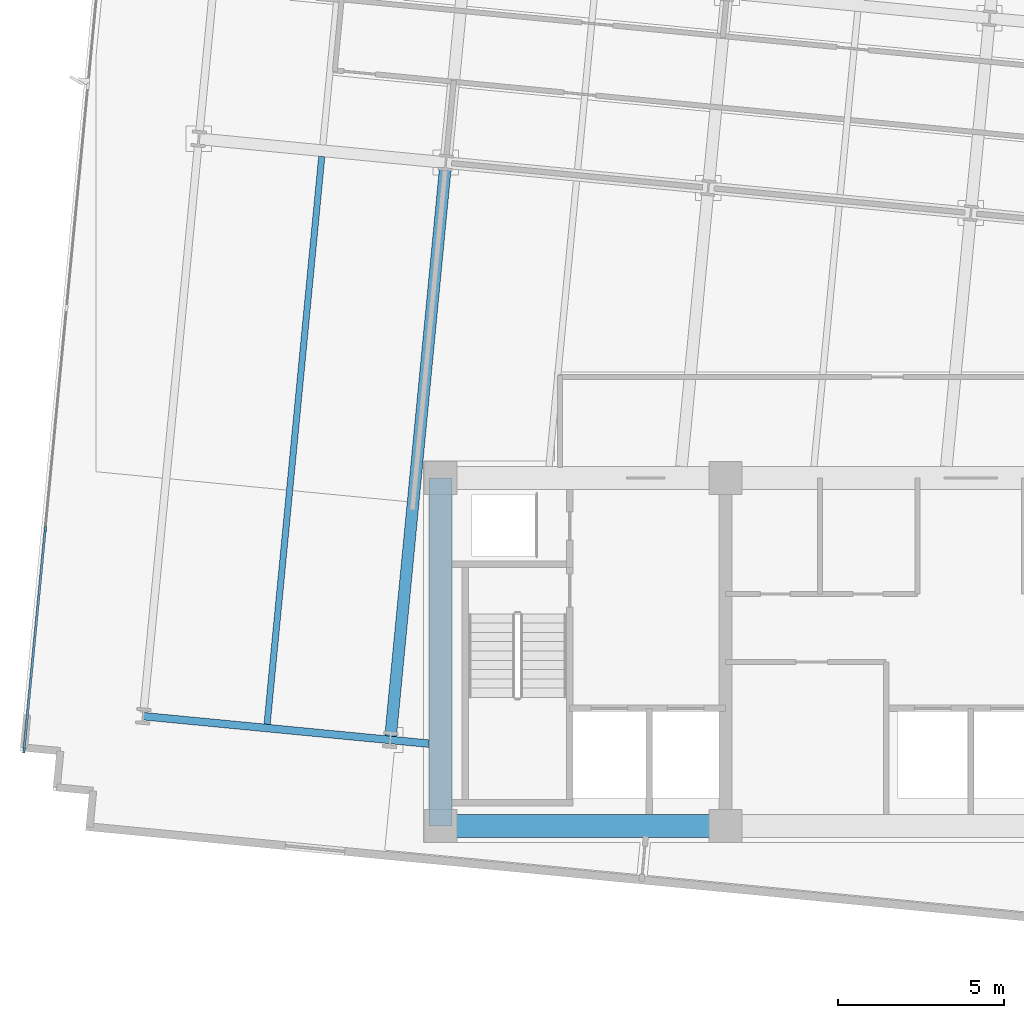
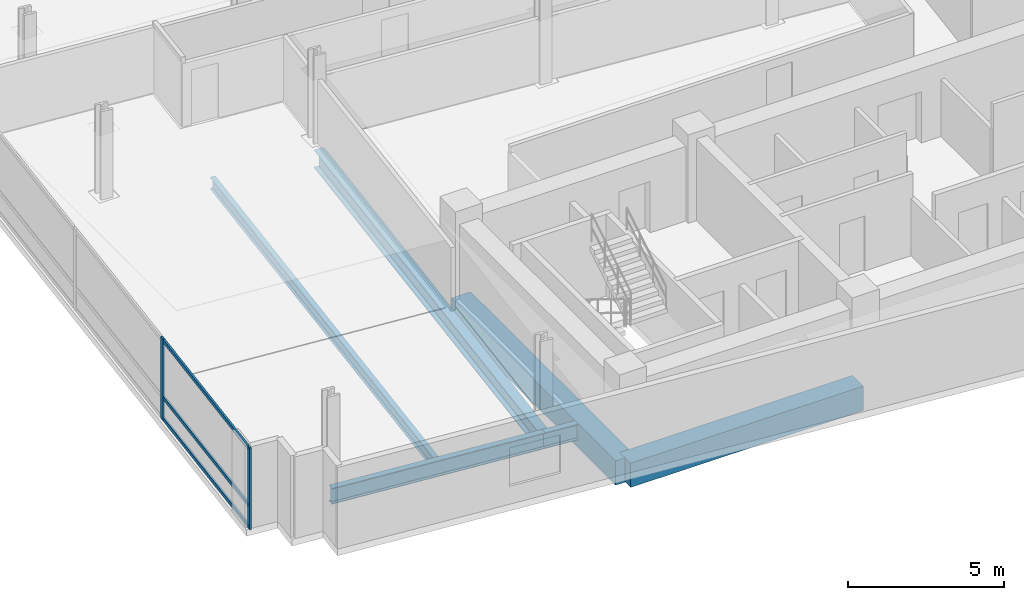
# One storey, part 2 of 16: 6 beams, 5 members, 1 element without a shape of its own.
"""IFC4 building model written with IfcOpenShell, lengths in metres."""

from ifc_helpers import new_model, si_unit, direction, frame, origin, origin_2d, place, context, subcontext, project, spatial, rectangle, i_section, extrude, material, material_profile, profile_set, type_object, element, aggregate, save


model = new_model("IFC4")

# Units and contexts
model_context = context("Model", 3, precision=1e-05, world=origin(), true_north=direction((0.0, 1.0)))
body_context = subcontext(model_context, "Body", "Model", "MODEL_VIEW")
ifc_project = project(units=[si_unit("LENGTHUNIT", "METRE"), si_unit("AREAUNIT", "SQUARE_METRE"), si_unit("VOLUMEUNIT", "CUBIC_METRE"), si_unit("PLANEANGLEUNIT", "RADIAN"), si_unit("MASSUNIT", "GRAM", prefix="KILO")], contexts=[model_context])

# Site, building, storey
site_placement = place(None, origin())
site = spatial("IfcSite", under=ifc_project, at=site_placement, CompositionType="ELEMENT")
building_placement = place(site_placement, origin())
building = spatial("IfcBuilding", under=site, at=building_placement, Name="Solmavex Isthmus Hotel", CompositionType="ELEMENT")
storey_placement = place(building_placement, frame((0.0, 0.0, 166.949951171875)))
storey = spatial("IfcBuildingStorey", under=building, at=storey_placement, Name="L45", CompositionType="ELEMENT", Elevation=166.949951171875)

# Beams
ifc_material_1 = material(Name="Steel ASTM A992 Grade 50", Category="steel")
ifc_material_profile_1 = material_profile(ifc_material_1, i_section(OverallWidth=0.354736328125, OverallDepth=0.695556640625, WebThickness=0.015380859375, FlangeThickness=0.02490234375, FilletRadius=0.017822265625, at=origin_2d()), Name="W27X146")
ifc_profile_set_1 = profile_set([ifc_material_profile_1], Name="Steel ASTM A992 Grade 50")
beam_type_1 = type_object("IfcBeamType", Name="BM-BG-W27X146", PredefinedType="BEAM", material=ifc_profile_set_1)
beam_1_placement = place(storey_placement, frame((-17.503662109375, -10.289306640625, -0.607666015625), z_axis=(0.095840821687, 0.99539667314, 0.0), x_axis=(-0.99539667314, 0.095840821687, 0.0)))
element("IfcBeam", 1, at=beam_1_placement, inside=storey, type_object=beam_type_1, Name="Floor Beam L45-VG24", PredefinedType="BEAM", context=body_context, shape_type="SweptSolid", body=[
    extrude(i_section(OverallWidth=0.354736328125, OverallDepth=0.695556640625, WebThickness=0.015380859375, FlangeThickness=0.02490234375, FilletRadius=0.017822265625, at=origin_2d()), origin(), (0.0, 0.0, 1.0), 17.207275390625),
])
ifc_material_profile_2 = material_profile(ifc_material_1, i_section(OverallWidth=0.1904296875, OverallDepth=0.456787109375, WebThickness=0.009033203125, FlangeThickness=0.014404296875, FilletRadius=0.0126953125, at=origin_2d()), Name="W18X50")
ifc_profile_set_2 = profile_set([ifc_material_profile_2], Name="Steel ASTM A992 Grade 50")
beam_type_2 = type_object("IfcBeamType", Name="BM-BJ-W18X50", PredefinedType="JOIST", material=ifc_profile_set_2)
beam_2_placement = place(storey_placement, frame((-21.23046875, -9.930419921875, -0.48828125), z_axis=(0.095840821687, 0.99539667314, 0.0), x_axis=(-0.99539667314, 0.095840821687, 0.0)))
element("IfcBeam", 2, at=beam_2_placement, inside=storey, type_object=beam_type_2, Name="Secondary Floor Joist L45-J01", PredefinedType="JOIST", context=body_context, shape_type="SweptSolid", body=[
    extrude(i_section(OverallWidth=0.1904296875, OverallDepth=0.456787109375, WebThickness=0.009033203125, FlangeThickness=0.014404296875, FilletRadius=0.0126953125, at=origin_2d()), origin(), (0.0, 0.0, 1.0), 17.207275390625),
])
ifc_material_2 = material(Name="Concrete C60/75", Category="concrete")
ifc_material_profile_3 = material_profile(ifc_material_2, rectangle(XDim=0.699951171875, YDim=0.949951171875, at=origin_2d()), Name="RC700X950")
ifc_profile_set_3 = profile_set([ifc_material_profile_3], Name="Concrete C60/75")
beam_type_3 = type_object("IfcBeamType", Name="BM-CB-700X950", PredefinedType="BEAM", material=ifc_profile_set_3)
beam_3_placement = place(storey_placement, frame((-16.0, -13.0, -0.73486328125), z_axis=(1.0, 0.0, 0.0), x_axis=(0.0, 1.0, 0.0)))
element("IfcBeam", 3, at=beam_3_placement, inside=storey, type_object=beam_type_3, Name="Core Coupling Beam L45-CB1", PredefinedType="BEAM", context=body_context, shape_type="SweptSolid", body=[
    extrude(rectangle(XDim=0.699951171875, YDim=0.949951171875, at=origin_2d()), origin(), (0.0, 0.0, 1.0), 8.60009765625),
])
beam_4_placement = place(storey_placement, frame((-16.0, -13.0, -0.73486328125), z_axis=(0.0, 1.0, 0.0), x_axis=(-1.0, 0.0, 0.0)))
element("IfcBeam", 4, at=beam_4_placement, inside=storey, type_object=beam_type_3, Name="Core Coupling Beam L45-CB7", PredefinedType="BEAM", context=body_context, shape_type="SweptSolid", body=[
    extrude(rectangle(XDim=0.699951171875, YDim=0.949951171875, at=origin_2d()), origin(), (0.0, 0.0, 1.0), 10.5),
])
ifc_material_profile_4 = material_profile(ifc_material_1, i_section(OverallWidth=0.230224609375, OverallDepth=0.617431640625, WebThickness=0.01318359375, FlangeThickness=0.022216796875, FilletRadius=0.01513671875, at=origin_2d()), Name="W24X94")
ifc_profile_set_4 = profile_set([ifc_material_profile_4], Name="Steel ASTM A992 Grade 50")
beam_type_4 = type_object("IfcBeamType", Name="BM-SP-W24X94", PredefinedType="SPANDREL", material=ifc_profile_set_4)
beam_5_placement = place(storey_placement, frame((-24.96826171875, -9.686279296875, -0.568603515625), z_axis=(0.995395279593, -0.095855293875, 0.0), x_axis=(0.095855293875, 0.995395279593, 0.0)))
element("IfcBeam", 5, at=beam_5_placement, inside=storey, type_object=beam_type_4, Name="Floor Girder L45-UG01", PredefinedType="SPANDREL", context=body_context, shape_type="SweptSolid", body=[
    extrude(i_section(OverallWidth=0.230224609375, OverallDepth=0.617431640625, WebThickness=0.01318359375, FlangeThickness=0.022216796875, FilletRadius=0.01513671875, at=origin_2d()), origin(), (0.0, 0.0, 1.0), 7.488037109375),
])
beam_6_placement = place(storey_placement, frame((-17.5146484375, -10.404052734375, -0.568603515625), z_axis=(0.995402144456, -0.095783979938, 0.0), x_axis=(0.095783979938, 0.995402144456, 0.0)))
element("IfcBeam", 6, at=beam_6_placement, inside=storey, type_object=beam_type_4, Name="Floor Girder L45-UG02", PredefinedType="SPANDREL", context=body_context, shape_type="SweptSolid", body=[
    extrude(i_section(OverallWidth=0.230224609375, OverallDepth=0.617431640625, WebThickness=0.01318359375, FlangeThickness=0.022216796875, FilletRadius=0.01513671875, at=origin_2d()), origin(), (0.0, 0.0, 1.0), 1.169921875),
])

# Curtain wall, members
ifc_material_3 = material(Name="Aluminium alloy 6063-T6", Category="aluminium")
curtain_wall_type = type_object("IfcCurtainWallType", Name="CW-SYS-03", PredefinedType="NOTDEFINED", material=ifc_material_3)
curtain_wall_placement = place(storey_placement, origin())
curtain_wall = element("IfcCurtainWall", 7, at=curtain_wall_placement, inside=storey, type_object=curtain_wall_type, Name="Stick Curtain Wall CWL-L45-W1", PredefinedType="NOTDEFINED")
ifc_material_profile_5 = material_profile(ifc_material_3, rectangle(XDim=0.070068359375, YDim=0.179931640625, at=origin_2d()), Name="CWM-70X180")
ifc_profile_set_5 = profile_set([ifc_material_profile_5], Name="Aluminium alloy 6063-T6")
member_type_1 = type_object("IfcMemberType", Name="CW-SYS-03-MUL", PredefinedType="MULLION", material=ifc_profile_set_5)
member_1_placement = place(storey_placement, frame((-28.56298828125, -10.71142578125, 0.0), z_axis=(0.0, 0.0, 1.0), x_axis=(-0.995396190038, 0.09584583902, 0.0)))
member_1 = element("IfcMember", 8, at=member_1_placement, type_object=member_type_1, Name="CW-03 mullion 1", PredefinedType="MULLION", context=body_context, shape_type="SweptSolid", body=[
    extrude(rectangle(XDim=0.070068359375, YDim=0.179931640625, at=origin_2d()), origin(), (0.0, 0.0, 1.0), 3.18994140625),
])
member_2_placement = place(storey_placement, frame((-27.92236328125, -4.057373046875, 0.0), z_axis=(0.0, 0.0, 1.0), x_axis=(-0.995396190038, 0.09584583902, 0.0)))
member_2 = element("IfcMember", 9, at=member_2_placement, type_object=member_type_1, Name="CW-03 mullion 2", PredefinedType="MULLION", context=body_context, shape_type="SweptSolid", body=[
    extrude(rectangle(XDim=0.070068359375, YDim=0.179931640625, at=origin_2d()), origin(), (0.0, 0.0, 1.0), 3.18994140625),
])
ifc_material_profile_6 = material_profile(ifc_material_3, rectangle(XDim=0.070068359375, YDim=0.139892578125, at=origin_2d()), Name="CWT-70X140")
ifc_profile_set_6 = profile_set([ifc_material_profile_6], Name="Aluminium alloy 6063-T6")
member_type_2 = type_object("IfcMemberType", Name="CW-SYS-03-TRN", PredefinedType="USERDEFINED", material=ifc_profile_set_6)
member_3_placement = place(storey_placement, frame((-28.559814453125, -10.6767578125, 0.070068359375), z_axis=(0.095845316679, 0.995396240334, 0.0), x_axis=(-0.995396240334, 0.095845316679, 0.0)))
member_3 = element("IfcMember", 10, at=member_3_placement, type_object=member_type_2, Name="CW-03 transom 1.1", ObjectType="TRANSOM", PredefinedType="USERDEFINED", context=body_context, shape_type="SweptSolid", body=[
    extrude(rectangle(XDim=0.070068359375, YDim=0.139892578125, at=origin_2d()), origin(), (0.0, 0.0, 1.0), 6.615234375),
])
member_4_placement = place(storey_placement, frame((-28.559814453125, -10.6767578125, 0.900146484375), z_axis=(0.095845316679, 0.995396240334, 0.0), x_axis=(-0.995396240334, 0.095845316679, 0.0)))
member_4 = element("IfcMember", 11, at=member_4_placement, type_object=member_type_2, Name="CW-03 transom 1.2", ObjectType="TRANSOM", PredefinedType="USERDEFINED", context=body_context, shape_type="SweptSolid", body=[
    extrude(rectangle(XDim=0.070068359375, YDim=0.139892578125, at=origin_2d()), origin(), (0.0, 0.0, 1.0), 6.615234375),
])
member_5_placement = place(storey_placement, frame((-28.559814453125, -10.6767578125, 3.1201171875), z_axis=(0.095845316679, 0.995396240334, 0.0), x_axis=(-0.995396240334, 0.095845316679, 0.0)))
member_5 = element("IfcMember", 12, at=member_5_placement, type_object=member_type_2, Name="CW-03 transom 1.3", ObjectType="TRANSOM", PredefinedType="USERDEFINED", context=body_context, shape_type="SweptSolid", body=[
    extrude(rectangle(XDim=0.070068359375, YDim=0.139892578125, at=origin_2d()), origin(), (0.0, 0.0, 1.0), 6.615234375),
])
aggregate(curtain_wall, [member_1, member_2, member_3, member_4, member_5])

save(model, "model.ifc")
